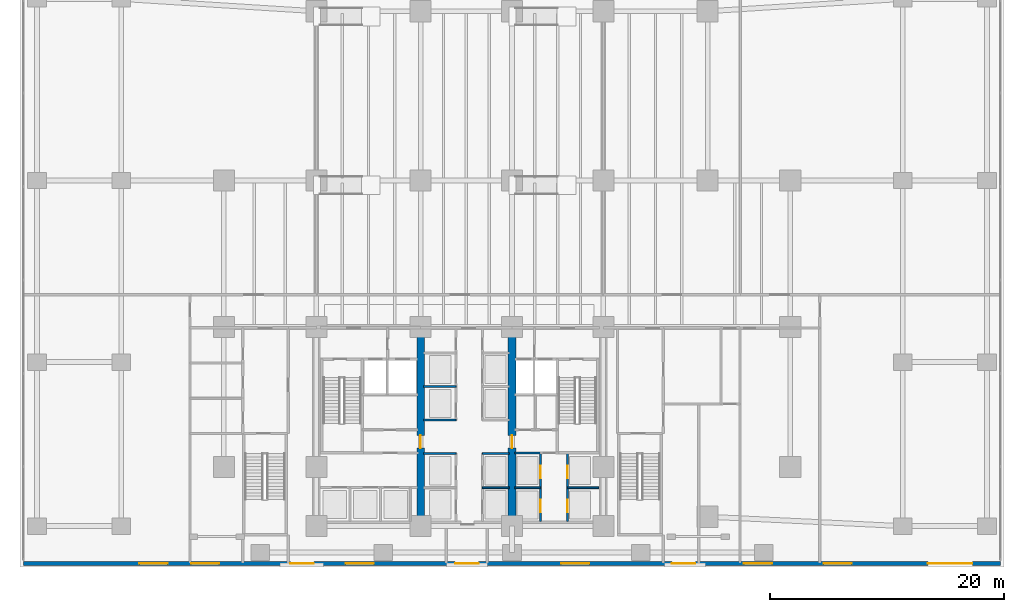
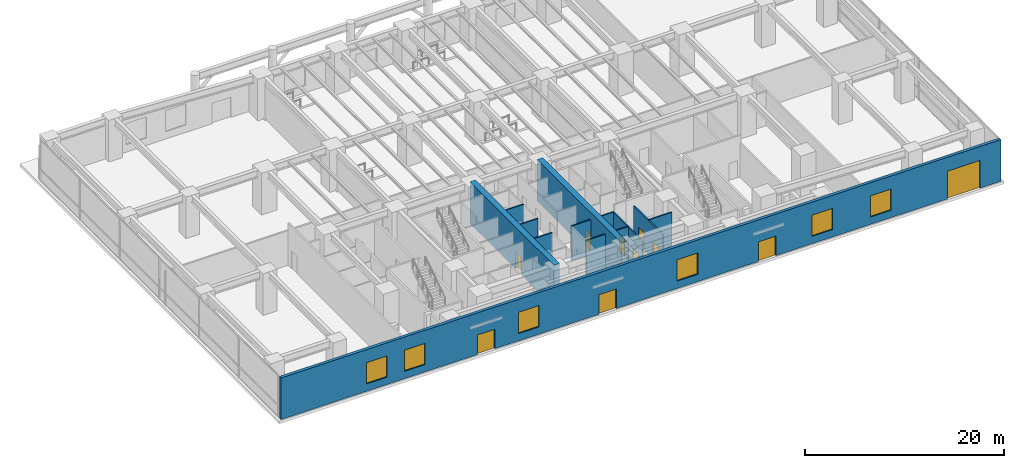
# One storey, part 11 of 19: 13 walls, 10 doors, 6 windows, 16 openings.
"""IFC4 building model written with IfcOpenShell, lengths in metres."""

from ifc_helpers import new_model, si_unit, direction, frame, frame_2d, origin, place, context, subcontext, project, spatial, rectangle, extrude, material, layer, layer_set, type_object, element, fill, save


model = new_model("IFC4")

# Units and contexts
model_context = context("Model", 3, precision=1e-05, world=origin(), true_north=direction((0.0, 1.0)))
body_context = subcontext(model_context, "Body", "Model", "MODEL_VIEW")
ifc_project = project(units=[si_unit("LENGTHUNIT", "METRE"), si_unit("AREAUNIT", "SQUARE_METRE"), si_unit("VOLUMEUNIT", "CUBIC_METRE"), si_unit("PLANEANGLEUNIT", "RADIAN"), si_unit("MASSUNIT", "GRAM", prefix="KILO")], contexts=[model_context])

# Site, building, storey
site_placement = place(None, origin())
site = spatial("IfcSite", under=ifc_project, at=site_placement, CompositionType="ELEMENT")
building_placement = place(site_placement, origin())
building = spatial("IfcBuilding", under=site, at=building_placement, Name="Qalmaran Belvedere Hotel", CompositionType="ELEMENT")
storey_placement = place(building_placement, origin())
storey = spatial("IfcBuildingStorey", under=building, at=storey_placement, Name="L00", CompositionType="ELEMENT", Elevation=0.0)

# Wall, opening, door
ifc_material_1 = material(Name="Concrete C60/75", Category="concrete")
ifc_layer_1 = layer(ifc_material_1, 0.64990234375, Name="Concrete C60/75")
ifc_layer_set_1 = layer_set([ifc_layer_1], Name="Concrete C60/75")
wall_type_1 = type_object("IfcWallType", Name="WL-CORE-650-C60", PredefinedType="SHEAR", material=ifc_layer_set_1)
wall_1_placement = place(storey_placement, frame((29.199951171875, 3.5, 0.0), z_axis=(0.0, 0.0, 1.0), x_axis=(0.0, 1.0, 0.0)))
wall_1 = element("IfcWall", 1, at=wall_1_placement, inside=storey, type_object=wall_type_1, Name="L00 Core West Spine Shear Wall", PredefinedType="SHEAR", context=body_context, shape_type="SweptSolid", body=[
    extrude(rectangle(XDim=16.89990234375, YDim=0.64990234375, at=frame_2d((8.449951171875, 0.0))), origin(), (0.0, 0.0, 1.0), 5.10009765625),
])
opening_1_placement = place(wall_1_placement, frame((7.75, 0.0, 0.0), z_axis=(0.0, 0.0, 1.0), x_axis=(-1.0, 0.0, 0.0)))
opening_1 = element("IfcOpeningElement", 2, at=opening_1_placement, cuts=wall_1, Name="Opening FD90", PredefinedType="OPENING", context=body_context, shape_type="SweptSolid", body=[
    extrude(rectangle(XDim=1.10009765625, YDim=2.14990234375, at=frame_2d((0.550048828125, 1.074951171875))), frame((0.0, 0.3349609375, 0.0), z_axis=(0.0, -1.0, 0.0), x_axis=(1.0, 0.0, 0.0)), (0.0, 0.0, 1.0), 0.669921875),
])
ifc_material_2 = material(Name="Steel S355JR", Category="steel")
door_type_1 = type_object("IfcDoorType", Name="DR-FD90-1100X2150", OperationType="NOTDEFINED", PredefinedType="DOOR", material=ifc_material_2)
door_1_placement = place(opening_1_placement, origin())
door_1 = element("IfcDoor", 3, at=door_1_placement, inside=storey, type_object=door_type_1, Name="L00 Core West Cross-Lobby Door", OperationType="SINGLE_SWING_RIGHT", OverallHeight=2.14990234375, OverallWidth=1.10009765625, PredefinedType="DOOR", context=body_context, shape_type="SweptSolid", body=[
    extrude(rectangle(XDim=1.10009765625, YDim=2.14990234375, at=frame_2d((0.550048828125, 1.074951171875))), frame((0.0, 0.02490234375, 0.0), z_axis=(0.0, -1.0, 0.0), x_axis=(1.0, 0.0, 0.0)), (0.0, 0.0, 1.0), 0.050048828125),
])
fill(opening_1, door_1)

wall_2_placement = place(storey_placement, frame((37.0, 3.5, 0.0), z_axis=(0.0, 0.0, 1.0), x_axis=(0.0, 1.0, 0.0)))
wall_2 = element("IfcWall", 4, at=wall_2_placement, inside=storey, type_object=wall_type_1, Name="L00 Core East Spine Shear Wall", PredefinedType="SHEAR", context=body_context, shape_type="SweptSolid", body=[
    extrude(rectangle(XDim=16.89990234375, YDim=0.64990234375, at=frame_2d((8.449951171875, 0.0))), origin(), (0.0, 0.0, 1.0), 5.10009765625),
])
opening_2_placement = place(wall_2_placement, frame((6.64990234375, 0.0, 0.0)))
opening_2 = element("IfcOpeningElement", 5, at=opening_2_placement, cuts=wall_2, Name="Opening FD90", PredefinedType="OPENING", context=body_context, shape_type="SweptSolid", body=[
    extrude(rectangle(XDim=1.10009765625, YDim=2.14990234375, at=frame_2d((0.550048828125, 1.074951171875))), frame((0.0, 0.3349609375, 0.0), z_axis=(0.0, -1.0, 0.0), x_axis=(1.0, 0.0, 0.0)), (0.0, 0.0, 1.0), 0.669921875),
])
door_2_placement = place(opening_2_placement, origin())
door_2 = element("IfcDoor", 6, at=door_2_placement, inside=storey, type_object=door_type_1, Name="L00 Core East Cross-Lobby Door", OperationType="SINGLE_SWING_LEFT", OverallHeight=2.14990234375, OverallWidth=1.10009765625, PredefinedType="DOOR", context=body_context, shape_type="SweptSolid", body=[
    extrude(rectangle(XDim=1.10009765625, YDim=2.14990234375, at=frame_2d((0.550048828125, 1.074951171875))), frame((0.0, 0.02490234375, 0.0), z_axis=(0.0, -1.0, 0.0), x_axis=(1.0, 0.0, 0.0)), (0.0, 0.0, 1.0), 0.050048828125),
])
fill(opening_2, door_2)

# Wall, openings, doors, windows
ifc_material_3 = material(Name="Riyadh Limestone Cladding", Category="masonry")
ifc_layer_2 = layer(ifc_material_3, 0.340087890625, Name="Riyadh Limestone Cladding")
ifc_layer_set_2 = layer_set([ifc_layer_2], Name="Riyadh Limestone Cladding")
wall_type_2 = type_object("IfcWallType", Name="WL-EXT-LIME-340", PredefinedType="SOLIDWALL", material=ifc_layer_set_2)
wall_3_placement = place(storey_placement, frame((-4.699951171875, 0.300048828125, 0.0), z_axis=(0.0, 0.0, 1.0), x_axis=(1.0, 0.0, 0.0)))
wall_3 = element("IfcWall", 7, at=wall_3_placement, inside=storey, type_object=wall_type_2, Name="L00 South Limestone Facade", PredefinedType="SOLIDWALL", context=body_context, shape_type="SweptSolid", body=[
    extrude(rectangle(XDim=83.39990234375, YDim=0.340087890625, at=frame_2d((41.699951171875, 0.0))), origin(), (0.0, 0.0, 1.0), 5.10009765625),
])
opening_3_placement = place(wall_3_placement, frame((24.780029296875, 0.0, 0.0), z_axis=(0.0, 0.0, 1.0), x_axis=(-1.0, 0.0, 0.0)))
opening_3 = element("IfcOpeningElement", 8, at=opening_3_placement, cuts=wall_3, Name="Opening EX-200", PredefinedType="OPENING", context=body_context, shape_type="SweptSolid", body=[
    extrude(rectangle(XDim=2.0, YDim=2.39990234375, at=frame_2d((1.0, 1.199951171875))), frame((0.0, 0.18017578125, 0.0), z_axis=(0.0, -1.0, 0.0), x_axis=(1.0, 0.0, 0.0)), (0.0, 0.0, 1.0), 0.360107421875),
])
opening_4_placement = place(wall_3_placement, frame((38.85009765625, 0.0, 0.0), z_axis=(0.0, 0.0, 1.0), x_axis=(-1.0, 0.0, 0.0)))
opening_4 = element("IfcOpeningElement", 9, at=opening_4_placement, cuts=wall_3, Name="Opening EX-200", PredefinedType="OPENING", context=body_context, shape_type="SweptSolid", body=[
    extrude(rectangle(XDim=2.0, YDim=2.39990234375, at=frame_2d((1.0, 1.199951171875))), frame((0.0, 0.18017578125, 0.0), z_axis=(0.0, -1.0, 0.0), x_axis=(1.0, 0.0, 0.0)), (0.0, 0.0, 1.0), 0.360107421875),
])
opening_5_placement = place(wall_3_placement, frame((57.35009765625, 0.0, 0.0), z_axis=(0.0, 0.0, 1.0), x_axis=(-1.0, 0.0, 0.0)))
opening_5 = element("IfcOpeningElement", 10, at=opening_5_placement, cuts=wall_3, Name="Opening EX-200", PredefinedType="OPENING", context=body_context, shape_type="SweptSolid", body=[
    extrude(rectangle(XDim=2.0, YDim=2.39990234375, at=frame_2d((1.0, 1.199951171875))), frame((0.0, 0.18017578125, 0.0), z_axis=(0.0, -1.0, 0.0), x_axis=(1.0, 0.0, 0.0)), (0.0, 0.0, 1.0), 0.360107421875),
])
opening_6_placement = place(wall_3_placement, frame((81.0, 0.0, 0.0), z_axis=(0.0, 0.0, 1.0), x_axis=(-1.0, 0.0, 0.0)))
opening_6 = element("IfcOpeningElement", 11, at=opening_6_placement, cuts=wall_3, Name="Opening LD-380", PredefinedType="OPENING", context=body_context, shape_type="SweptSolid", body=[
    extrude(rectangle(XDim=3.800048828125, YDim=3.39990234375, at=frame_2d((1.89990234375, 1.699951171875))), frame((0.0, 0.18017578125, 0.0), z_axis=(0.0, -1.0, 0.0), x_axis=(1.0, 0.0, 0.0)), (0.0, 0.0, 1.0), 0.360107421875),
])
opening_7_placement = place(wall_3_placement, frame((9.89990234375, 0.0, 0.89990234375)))
opening_7 = element("IfcOpeningElement", 12, at=opening_7_placement, cuts=wall_3, Name="Opening W-P24", PredefinedType="OPENING", context=body_context, shape_type="SweptSolid", body=[
    extrude(rectangle(XDim=2.39990234375, YDim=2.60009765625, at=frame_2d((1.199951171875, 1.300048828125))), frame((0.0, 0.18017578125, 0.0), z_axis=(0.0, -1.0, 0.0), x_axis=(1.0, 0.0, 0.0)), (0.0, 0.0, 1.0), 0.360107421875),
])
opening_8_placement = place(wall_3_placement, frame((14.300048828125, 0.0, 0.89990234375)))
opening_8 = element("IfcOpeningElement", 13, at=opening_8_placement, cuts=wall_3, Name="Opening W-P24", PredefinedType="OPENING", context=body_context, shape_type="SweptSolid", body=[
    extrude(rectangle(XDim=2.39990234375, YDim=2.60009765625, at=frame_2d((1.199951171875, 1.300048828125))), frame((0.0, 0.18017578125, 0.0), z_axis=(0.0, -1.0, 0.0), x_axis=(1.0, 0.0, 0.0)), (0.0, 0.0, 1.0), 0.360107421875),
])
opening_9_placement = place(wall_3_placement, frame((27.5, 0.0, 0.89990234375)))
opening_9 = element("IfcOpeningElement", 14, at=opening_9_placement, cuts=wall_3, Name="Opening W-P24", PredefinedType="OPENING", context=body_context, shape_type="SweptSolid", body=[
    extrude(rectangle(XDim=2.39990234375, YDim=2.60009765625, at=frame_2d((1.199951171875, 1.300048828125))), frame((0.0, 0.18017578125, 0.0), z_axis=(0.0, -1.0, 0.0), x_axis=(1.0, 0.0, 0.0)), (0.0, 0.0, 1.0), 0.360107421875),
])
opening_10_placement = place(wall_3_placement, frame((45.89990234375, 0.0, 0.89990234375)))
opening_10 = element("IfcOpeningElement", 15, at=opening_10_placement, cuts=wall_3, Name="Opening W-P24", PredefinedType="OPENING", context=body_context, shape_type="SweptSolid", body=[
    extrude(rectangle(XDim=2.39990234375, YDim=2.60009765625, at=frame_2d((1.199951171875, 1.300048828125))), frame((0.0, 0.18017578125, 0.0), z_axis=(0.0, -1.0, 0.0), x_axis=(1.0, 0.0, 0.0)), (0.0, 0.0, 1.0), 0.360107421875),
])
opening_11_placement = place(wall_3_placement, frame((61.5, 0.0, 0.89990234375)))
opening_11 = element("IfcOpeningElement", 16, at=opening_11_placement, cuts=wall_3, Name="Opening W-P24", PredefinedType="OPENING", context=body_context, shape_type="SweptSolid", body=[
    extrude(rectangle(XDim=2.39990234375, YDim=2.60009765625, at=frame_2d((1.199951171875, 1.300048828125))), frame((0.0, 0.18017578125, 0.0), z_axis=(0.0, -1.0, 0.0), x_axis=(1.0, 0.0, 0.0)), (0.0, 0.0, 1.0), 0.360107421875),
])
opening_12_placement = place(wall_3_placement, frame((68.300048828125, 0.0, 0.89990234375)))
opening_12 = element("IfcOpeningElement", 17, at=opening_12_placement, cuts=wall_3, Name="Opening W-P24", PredefinedType="OPENING", context=body_context, shape_type="SweptSolid", body=[
    extrude(rectangle(XDim=2.39990234375, YDim=2.60009765625, at=frame_2d((1.199951171875, 1.300048828125))), frame((0.0, 0.18017578125, 0.0), z_axis=(0.0, -1.0, 0.0), x_axis=(1.0, 0.0, 0.0)), (0.0, 0.0, 1.0), 0.360107421875),
])
ifc_material_4 = material(Name="Anodised Bronze Aluminium", Category="aluminium")
door_type_2 = type_object("IfcDoorType", Name="DR-EXIT-2000X2400", OperationType="NOTDEFINED", PredefinedType="DOOR", material=ifc_material_4)
door_3_placement = place(opening_3_placement, origin())
door_3 = element("IfcDoor", 18, at=door_3_placement, inside=storey, type_object=door_type_2, Name="L00 South Final Exit 1", OperationType="DOUBLE_DOOR_SINGLE_SWING", OverallHeight=2.39990234375, OverallWidth=2.0, PredefinedType="DOOR", context=body_context, shape_type="SweptSolid", body=[
    extrude(rectangle(XDim=2.0, YDim=2.39990234375, at=frame_2d((1.0, 1.199951171875))), frame((0.0, 0.02490234375, 0.0), z_axis=(0.0, -1.0, 0.0), x_axis=(1.0, 0.0, 0.0)), (0.0, 0.0, 1.0), 0.050048828125),
])
fill(opening_3, door_3)
door_4_placement = place(opening_4_placement, origin())
door_4 = element("IfcDoor", 19, at=door_4_placement, inside=storey, type_object=door_type_2, Name="L00 South Final Exit 2", OperationType="DOUBLE_DOOR_SINGLE_SWING", OverallHeight=2.39990234375, OverallWidth=2.0, PredefinedType="DOOR", context=body_context, shape_type="SweptSolid", body=[
    extrude(rectangle(XDim=2.0, YDim=2.39990234375, at=frame_2d((1.0, 1.199951171875))), frame((0.0, 0.02490234375, 0.0), z_axis=(0.0, -1.0, 0.0), x_axis=(1.0, 0.0, 0.0)), (0.0, 0.0, 1.0), 0.050048828125),
])
fill(opening_4, door_4)
door_5_placement = place(opening_5_placement, origin())
door_5 = element("IfcDoor", 20, at=door_5_placement, inside=storey, type_object=door_type_2, Name="L00 South Final Exit 3", OperationType="DOUBLE_DOOR_SINGLE_SWING", OverallHeight=2.39990234375, OverallWidth=2.0, PredefinedType="DOOR", context=body_context, shape_type="SweptSolid", body=[
    extrude(rectangle(XDim=2.0, YDim=2.39990234375, at=frame_2d((1.0, 1.199951171875))), frame((0.0, 0.02490234375, 0.0), z_axis=(0.0, -1.0, 0.0), x_axis=(1.0, 0.0, 0.0)), (0.0, 0.0, 1.0), 0.050048828125),
])
fill(opening_5, door_5)
door_type_3 = type_object("IfcDoorType", Name="DR-LOAD-3800X3400", OperationType="NOTDEFINED", PredefinedType="GATE", material=ifc_material_2)
door_6_placement = place(opening_6_placement, origin())
door_6 = element("IfcDoor", 21, at=door_6_placement, inside=storey, type_object=door_type_3, Name="L00 Service Loading Shutter", OperationType="ROLLINGUP", OverallHeight=3.39990234375, OverallWidth=3.800048828125, PredefinedType="GATE", context=body_context, shape_type="SweptSolid", body=[
    extrude(rectangle(XDim=3.800048828125, YDim=3.39990234375, at=frame_2d((1.89990234375, 1.699951171875))), frame((0.0, 0.02490234375, 0.0), z_axis=(0.0, -1.0, 0.0), x_axis=(1.0, 0.0, 0.0)), (0.0, 0.0, 1.0), 0.050048828125),
])
fill(opening_6, door_6)
ifc_material_5 = material(Name="Solar-Control Double Glazing", Category="glass")
window_type = type_object("IfcWindowType", Name="WN-POD-2400X2600", PartitioningType="SINGLE_PANEL", PredefinedType="WINDOW", material=ifc_material_5)
window_1_placement = place(opening_7_placement, origin())
window_1 = element("IfcWindow", 22, at=window_1_placement, inside=storey, type_object=window_type, Name="L00 South Window 1", OverallHeight=2.60009765625, OverallWidth=2.39990234375, PartitioningType="SINGLE_PANEL", PredefinedType="WINDOW", context=body_context, shape_type="SweptSolid", body=[
    extrude(rectangle(XDim=2.39990234375, YDim=2.60009765625, at=frame_2d((1.199951171875, 1.300048828125))), frame((0.0, 0.030029296875, 0.0), z_axis=(0.0, -1.0, 0.0), x_axis=(1.0, 0.0, 0.0)), (0.0, 0.0, 1.0), 0.06005859375),
])
fill(opening_7, window_1)
window_2_placement = place(opening_8_placement, origin())
window_2 = element("IfcWindow", 23, at=window_2_placement, inside=storey, type_object=window_type, Name="L00 South Window 2", OverallHeight=2.60009765625, OverallWidth=2.39990234375, PartitioningType="SINGLE_PANEL", PredefinedType="WINDOW", context=body_context, shape_type="SweptSolid", body=[
    extrude(rectangle(XDim=2.39990234375, YDim=2.60009765625, at=frame_2d((1.199951171875, 1.300048828125))), frame((0.0, 0.030029296875, 0.0), z_axis=(0.0, -1.0, 0.0), x_axis=(1.0, 0.0, 0.0)), (0.0, 0.0, 1.0), 0.06005859375),
])
fill(opening_8, window_2)
window_3_placement = place(opening_9_placement, origin())
window_3 = element("IfcWindow", 24, at=window_3_placement, inside=storey, type_object=window_type, Name="L00 South Window 3", OverallHeight=2.60009765625, OverallWidth=2.39990234375, PartitioningType="SINGLE_PANEL", PredefinedType="WINDOW", context=body_context, shape_type="SweptSolid", body=[
    extrude(rectangle(XDim=2.39990234375, YDim=2.60009765625, at=frame_2d((1.199951171875, 1.300048828125))), frame((0.0, 0.030029296875, 0.0), z_axis=(0.0, -1.0, 0.0), x_axis=(1.0, 0.0, 0.0)), (0.0, 0.0, 1.0), 0.06005859375),
])
fill(opening_9, window_3)
window_4_placement = place(opening_10_placement, origin())
window_4 = element("IfcWindow", 25, at=window_4_placement, inside=storey, type_object=window_type, Name="L00 South Window 4", OverallHeight=2.60009765625, OverallWidth=2.39990234375, PartitioningType="SINGLE_PANEL", PredefinedType="WINDOW", context=body_context, shape_type="SweptSolid", body=[
    extrude(rectangle(XDim=2.39990234375, YDim=2.60009765625, at=frame_2d((1.199951171875, 1.300048828125))), frame((0.0, 0.030029296875, 0.0), z_axis=(0.0, -1.0, 0.0), x_axis=(1.0, 0.0, 0.0)), (0.0, 0.0, 1.0), 0.06005859375),
])
fill(opening_10, window_4)
window_5_placement = place(opening_11_placement, origin())
window_5 = element("IfcWindow", 26, at=window_5_placement, inside=storey, type_object=window_type, Name="L00 South Window 5", OverallHeight=2.60009765625, OverallWidth=2.39990234375, PartitioningType="SINGLE_PANEL", PredefinedType="WINDOW", context=body_context, shape_type="SweptSolid", body=[
    extrude(rectangle(XDim=2.39990234375, YDim=2.60009765625, at=frame_2d((1.199951171875, 1.300048828125))), frame((0.0, 0.030029296875, 0.0), z_axis=(0.0, -1.0, 0.0), x_axis=(1.0, 0.0, 0.0)), (0.0, 0.0, 1.0), 0.06005859375),
])
fill(opening_11, window_5)
window_6_placement = place(opening_12_placement, origin())
window_6 = element("IfcWindow", 27, at=window_6_placement, inside=storey, type_object=window_type, Name="L00 South Window 6", OverallHeight=2.60009765625, OverallWidth=2.39990234375, PartitioningType="SINGLE_PANEL", PredefinedType="WINDOW", context=body_context, shape_type="SweptSolid", body=[
    extrude(rectangle(XDim=2.39990234375, YDim=2.60009765625, at=frame_2d((1.199951171875, 1.300048828125))), frame((0.0, 0.030029296875, 0.0), z_axis=(0.0, -1.0, 0.0), x_axis=(1.0, 0.0, 0.0)), (0.0, 0.0, 1.0), 0.06005859375),
])
fill(opening_12, window_6)

# Walls
ifc_material_6 = material(Name="Gypsum Stud Partition")
ifc_layer_3 = layer(ifc_material_6, 0.14990234375, Name="Gypsum Stud Partition")
ifc_layer_set_3 = layer_set([ifc_layer_3], Name="Gypsum Stud Partition")
wall_type_3 = type_object("IfcWallType", Name="WL-INT-150-EI120", PredefinedType="PARTITIONING", material=ifc_layer_set_3)
wall_4_placement = place(storey_placement, frame((37.25, 6.780029296875, 0.0), z_axis=(0.0, 0.0, 1.0), x_axis=(1.0, 0.0, 0.0)))
element("IfcWall", 28, at=wall_4_placement, inside=storey, type_object=wall_type_3, Name="L00 Partition WL-PHMW-L00", PredefinedType="PARTITIONING", context=body_context, shape_type="SweptSolid", body=[
    extrude(rectangle(XDim=2.169921875, YDim=0.14990234375, at=frame_2d((1.0849609375, 0.0))), origin(), (0.0, 0.0, 1.0), 4.22998046875),
])
wall_5_placement = place(storey_placement, frame((41.739990234375, 6.780029296875, 0.0), z_axis=(0.0, 0.0, 1.0), x_axis=(1.0, 0.0, 0.0)))
element("IfcWall", 29, at=wall_5_placement, inside=storey, type_object=wall_type_3, Name="L00 Partition WL-PHME-L00", PredefinedType="PARTITIONING", context=body_context, shape_type="SweptSolid", body=[
    extrude(rectangle(XDim=2.659912109375, YDim=0.14990234375, at=frame_2d((1.330078125, 0.0))), origin(), (0.0, 0.0, 1.0), 4.22998046875),
])
wall_6_placement = place(storey_placement, frame((34.47998046875, 6.780029296875, 0.0), z_axis=(0.0, 0.0, 1.0), x_axis=(1.0, 0.0, 0.0)))
element("IfcWall", 30, at=wall_6_placement, inside=storey, type_object=wall_type_3, Name="L00 Partition WL-PLE-L00-67", PredefinedType="PARTITIONING", context=body_context, shape_type="SweptSolid", body=[
    extrude(rectangle(XDim=2.27001953125, YDim=0.14990234375, at=frame_2d((1.135009765625, 0.0))), origin(), (0.0, 0.0, 1.0), 4.22998046875),
])
wall_7_placement = place(storey_placement, frame((29.449951171875, 9.699951171875, 0.0), z_axis=(0.0, 0.0, 1.0), x_axis=(1.0, 0.0, 0.0)))
element("IfcWall", 31, at=wall_7_placement, inside=storey, type_object=wall_type_3, Name="L00 Partition WL-PLW-L00-97", PredefinedType="PARTITIONING", context=body_context, shape_type="SweptSolid", body=[
    extrude(rectangle(XDim=2.77001953125, YDim=0.14990234375, at=frame_2d((1.385009765625, 0.0))), origin(), (0.0, 0.0, 1.0), 4.22998046875),
])
wall_8_placement = place(storey_placement, frame((34.47998046875, 9.699951171875, 0.0), z_axis=(0.0, 0.0, 1.0), x_axis=(1.0, 0.0, 0.0)))
element("IfcWall", 32, at=wall_8_placement, inside=storey, type_object=wall_type_3, Name="L00 Partition WL-PLE-L00-97", PredefinedType="PARTITIONING", context=body_context, shape_type="SweptSolid", body=[
    extrude(rectangle(XDim=2.27001953125, YDim=0.14990234375, at=frame_2d((1.135009765625, 0.0))), origin(), (0.0, 0.0, 1.0), 4.22998046875),
])
for number, where, z_axis, x_axis, name in (
    (33, (29.449951171875, 12.550048828125, 0.0), (0.0, 0.0, 1.0), (1.0, 0.0, 0.0), "L00 Partition WL-PMW-L00-125"),
    (34, (29.449951171875, 15.419921875, 0.0), (0.0, 0.0, 1.0), (1.0, 0.0, 0.0), "L00 Partition WL-PMW-L00-154"),
):
    element("IfcWall", number, at=place(storey_placement, frame(where, z_axis=z_axis, x_axis=x_axis)), inside=storey, type_object=wall_type_3, Name=name, PredefinedType="PARTITIONING", context=body_context, shape_type="SweptSolid", body=[
        extrude(rectangle(XDim=2.77001953125, YDim=0.14990234375, at=frame_2d((1.385009765625, 0.0))), origin(), (0.0, 0.0, 1.0), 4.22998046875),
    ])

# Wall, openings, doors
ifc_layer_4 = layer(ifc_material_6, 0.159912109375, Name="Gypsum Stud Partition")
ifc_layer_set_4 = layer_set([ifc_layer_4], Name="Gypsum Stud Partition")
wall_type_4 = type_object("IfcWallType", Name="WL-INT-160-EI120", PredefinedType="PARTITIONING", material=ifc_layer_set_4)
wall_9_placement = place(storey_placement, frame((39.419921875, 3.89990234375, 0.0), z_axis=(0.0, 0.0, 1.0), x_axis=(0.0, 1.0, 0.0)))
wall_9 = element("IfcWall", 35, at=wall_9_placement, inside=storey, type_object=wall_type_4, Name="L00 Partition WL-PHW-L00", PredefinedType="PARTITIONING", context=body_context, shape_type="SweptSolid", body=[
    extrude(rectangle(XDim=5.840087890625, YDim=0.159912109375, at=frame_2d((2.919921875, 0.0))), origin(), (0.0, 0.0, 1.0), 4.1640625),
])
opening_13_placement = place(wall_9_placement, frame((1.860107421875, 0.0, 0.0), z_axis=(0.0, 0.0, 1.0), x_axis=(-1.0, 0.0, 0.0)))
opening_13 = element("IfcOpeningElement", 36, at=opening_13_placement, cuts=wall_9, Name="Opening LD-P2", PredefinedType="OPENING", context=body_context, shape_type="SweptSolid", body=[
    extrude(rectangle(XDim=1.06005859375, YDim=2.159912109375, at=frame_2d((0.530029296875, 1.080078125))), frame((0.0, 0.08984375, 0.0), z_axis=(0.0, -1.0, 0.0), x_axis=(1.0, 0.0, 0.0)), (0.0, 0.0, 1.0), 0.179931640625),
])
opening_14_placement = place(wall_9_placement, frame((4.760009765625, 0.0, 0.0), z_axis=(0.0, 0.0, 1.0), x_axis=(-1.0, 0.0, 0.0)))
opening_14 = element("IfcOpeningElement", 37, at=opening_14_placement, cuts=wall_9, Name="Opening LD-P2", PredefinedType="OPENING", context=body_context, shape_type="SweptSolid", body=[
    extrude(rectangle(XDim=1.06005859375, YDim=2.159912109375, at=frame_2d((0.530029296875, 1.080078125))), frame((0.0, 0.08984375, 0.0), z_axis=(0.0, -1.0, 0.0), x_axis=(1.0, 0.0, 0.0)), (0.0, 0.0, 1.0), 0.179931640625),
])
ifc_material_7 = material(Name="Stainless Steel 1.4401", Category="steel")
door_type_4 = type_object("IfcDoorType", Name="DR-LIFT-P2-1060X2160", OperationType="DOUBLE_DOOR_SLIDING", PredefinedType="DOOR", material=ifc_material_7)
door_7_placement = place(opening_13_placement, origin())
door_7 = element("IfcDoor", 38, at=door_7_placement, inside=storey, type_object=door_type_4, Name="L00 PH1 Lift Landing Door", OperationType="DOUBLE_DOOR_SLIDING", OverallHeight=2.159912109375, OverallWidth=1.06005859375, PredefinedType="DOOR", context=body_context, shape_type="SweptSolid", body=[
    extrude(rectangle(XDim=1.06005859375, YDim=2.159912109375, at=frame_2d((0.530029296875, 1.080078125))), frame((0.0, 0.02490234375, 0.0), z_axis=(0.0, -1.0, 0.0), x_axis=(1.0, 0.0, 0.0)), (0.0, 0.0, 1.0), 0.050048828125),
])
fill(opening_13, door_7)
door_8_placement = place(opening_14_placement, origin())
door_8 = element("IfcDoor", 39, at=door_8_placement, inside=storey, type_object=door_type_4, Name="L00 PH2 Lift Landing Door", OperationType="DOUBLE_DOOR_SLIDING", OverallHeight=2.159912109375, OverallWidth=1.06005859375, PredefinedType="DOOR", context=body_context, shape_type="SweptSolid", body=[
    extrude(rectangle(XDim=1.06005859375, YDim=2.159912109375, at=frame_2d((0.530029296875, 1.080078125))), frame((0.0, 0.02490234375, 0.0), z_axis=(0.0, -1.0, 0.0), x_axis=(1.0, 0.0, 0.0)), (0.0, 0.0, 1.0), 0.050048828125),
])
fill(opening_14, door_8)

wall_10_placement = place(storey_placement, frame((41.739990234375, 3.89990234375, 0.0), z_axis=(0.0, 0.0, 1.0), x_axis=(0.0, 1.0, 0.0)))
wall_10 = element("IfcWall", 40, at=wall_10_placement, inside=storey, type_object=wall_type_4, Name="L00 Partition WL-PHE-L00", PredefinedType="PARTITIONING", context=body_context, shape_type="SweptSolid", body=[
    extrude(rectangle(XDim=5.840087890625, YDim=0.159912109375, at=frame_2d((2.919921875, 0.0))), origin(), (0.0, 0.0, 1.0), 4.1640625),
])
opening_15_placement = place(wall_10_placement, frame((0.800048828125, 0.0, 0.0)))
opening_15 = element("IfcOpeningElement", 41, at=opening_15_placement, cuts=wall_10, Name="Opening LD-P2", PredefinedType="OPENING", context=body_context, shape_type="SweptSolid", body=[
    extrude(rectangle(XDim=1.06005859375, YDim=2.159912109375, at=frame_2d((0.530029296875, 1.080078125))), frame((0.0, 0.08984375, 0.0), z_axis=(0.0, -1.0, 0.0), x_axis=(1.0, 0.0, 0.0)), (0.0, 0.0, 1.0), 0.179931640625),
])
opening_16_placement = place(wall_10_placement, frame((3.699951171875, 0.0, 0.0)))
opening_16 = element("IfcOpeningElement", 42, at=opening_16_placement, cuts=wall_10, Name="Opening LD-P2", PredefinedType="OPENING", context=body_context, shape_type="SweptSolid", body=[
    extrude(rectangle(XDim=1.06005859375, YDim=2.159912109375, at=frame_2d((0.530029296875, 1.080078125))), frame((0.0, 0.08984375, 0.0), z_axis=(0.0, -1.0, 0.0), x_axis=(1.0, 0.0, 0.0)), (0.0, 0.0, 1.0), 0.179931640625),
])
door_9_placement = place(opening_15_placement, origin())
door_9 = element("IfcDoor", 43, at=door_9_placement, inside=storey, type_object=door_type_4, Name="L00 PH3 Lift Landing Door", OperationType="DOUBLE_DOOR_SLIDING", OverallHeight=2.159912109375, OverallWidth=1.06005859375, PredefinedType="DOOR", context=body_context, shape_type="SweptSolid", body=[
    extrude(rectangle(XDim=1.06005859375, YDim=2.159912109375, at=frame_2d((0.530029296875, 1.080078125))), frame((0.0, 0.02490234375, 0.0), z_axis=(0.0, -1.0, 0.0), x_axis=(1.0, 0.0, 0.0)), (0.0, 0.0, 1.0), 0.050048828125),
])
fill(opening_15, door_9)
door_10_placement = place(opening_16_placement, origin())
door_10 = element("IfcDoor", 44, at=door_10_placement, inside=storey, type_object=door_type_4, Name="L00 PH4 Lift Landing Door", OperationType="DOUBLE_DOOR_SLIDING", OverallHeight=2.159912109375, OverallWidth=1.06005859375, PredefinedType="DOOR", context=body_context, shape_type="SweptSolid", body=[
    extrude(rectangle(XDim=1.06005859375, YDim=2.159912109375, at=frame_2d((0.530029296875, 1.080078125))), frame((0.0, 0.02490234375, 0.0), z_axis=(0.0, -1.0, 0.0), x_axis=(1.0, 0.0, 0.0)), (0.0, 0.0, 1.0), 0.050048828125),
])
fill(opening_16, door_10)

# Wall
wall_11_placement = place(storey_placement, frame((37.25, 9.739990234375, 0.0), z_axis=(0.0, 0.0, 1.0), x_axis=(1.0, 0.0, 0.0)))
element("IfcWall", 45, at=wall_11_placement, inside=storey, type_object=wall_type_4, Name="L00 Partition WL-PHNW-L00", PredefinedType="PARTITIONING", context=body_context, shape_type="SweptSolid", body=[
    extrude(rectangle(XDim=2.169921875, YDim=0.159912109375, at=frame_2d((1.0849609375, 0.0))), origin(), (0.0, 0.0, 1.0), 4.22998046875),
])

save(model, "model.ifc")
